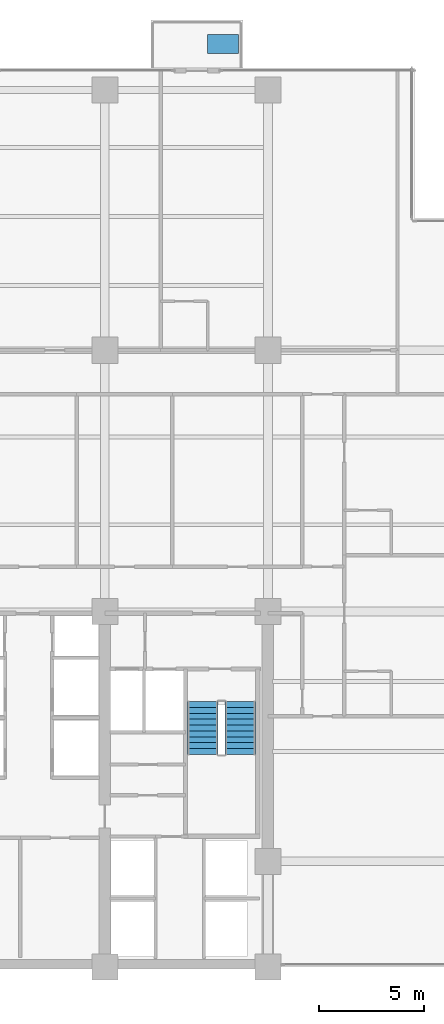
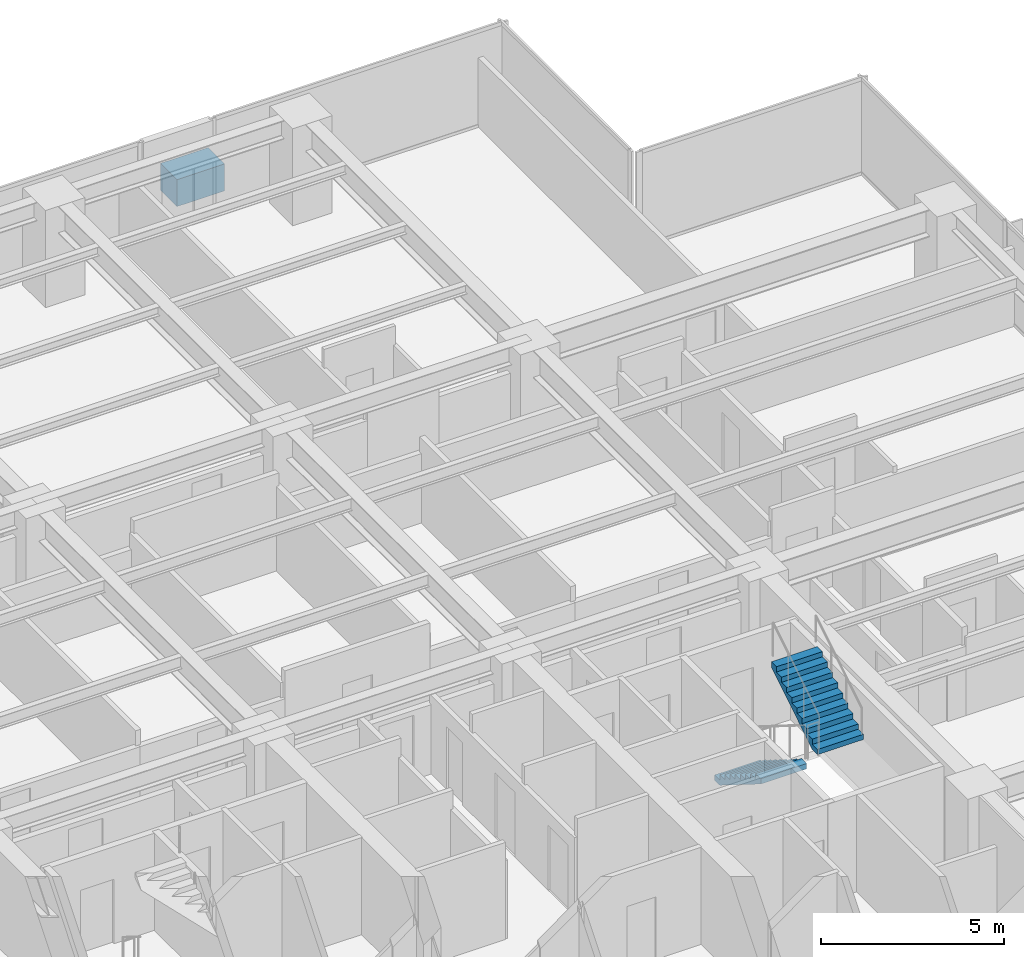
# One storey, part 12 of 17: 2 stair flights, 1 discrete accessory, 1 element without a shape of its own.
"""IFC4 building model written with IfcOpenShell, lengths in metres."""

from ifc_helpers import new_model, si_unit, direction, frame, origin, place, context, subcontext, project, spatial, polyline, outline, extrude, material, layer, layer_set, type_object, element, aggregate, save


model = new_model("IFC4")

# Units and contexts
model_context = context("Model", 3, precision=1e-05, world=origin(), true_north=direction((0.0, 1.0)))
body_context = subcontext(model_context, "Body", "Model", "MODEL_VIEW")
ifc_project = project(units=[si_unit("LENGTHUNIT", "METRE"), si_unit("AREAUNIT", "SQUARE_METRE"), si_unit("VOLUMEUNIT", "CUBIC_METRE"), si_unit("PLANEANGLEUNIT", "RADIAN"), si_unit("MASSUNIT", "GRAM", prefix="KILO")], contexts=[model_context])

# Site, building, storey
site_placement = place(None, origin())
site = spatial("IfcSite", under=ifc_project, at=site_placement, CompositionType="ELEMENT")
building_placement = place(site_placement, origin())
building = spatial("IfcBuilding", under=site, at=building_placement, Name="Qalmaran Belvedere Hotel", CompositionType="ELEMENT")
storey_placement = place(building_placement, frame((0.0, 0.0, 112.699951171875)))
storey = spatial("IfcBuildingStorey", under=building, at=storey_placement, Name="L28", CompositionType="ELEMENT", Elevation=112.699951171875)

# Stair, stair flights
ifc_material = material(Name="Concrete C40/50", Category="concrete")
stair_type = type_object("IfcStairType", Name="STR-ST-2-1450-R1750", PredefinedType="HALF_TURN_STAIR", material=ifc_material)
stair_placement = place(storey_placement, origin())
stair = element("IfcStair", 1, at=stair_placement, inside=storey, type_object=stair_type, Name="L28 East Core Exit Stair ST-2", PredefinedType="HALF_TURN_STAIR")
ifc_layer = layer(ifc_material, 0.14990234375, Name="Concrete C40/50")
ifc_layer_set = layer_set([ifc_layer], Name="Concrete C40/50")
stair_flight_type = type_object("IfcStairFlightType", Name="STF-ST-2-1450-R1750", PredefinedType="STRAIGHT", material=ifc_layer_set)
stair_flight_1_placement = place(storey_placement, frame((41.68505859375, 16.18994140625, 0.0), z_axis=(0.0, 0.0, 1.0), x_axis=(0.0, -1.0, 0.0)))
stair_flight_1 = element("IfcStairFlight", 2, at=stair_flight_1_placement, type_object=stair_flight_type, Name="ST-2 flight 1", NumberOfRisers=10, NumberOfTreads=9, PredefinedType="STRAIGHT", RiserHeight=0.175, TreadLength=0.28, context=body_context, shape_type="SweptSolid", body=[
    extrude(outline(polyline([(0.0, 0.0), (0.0, 0.175048828125), (0.280029296875, 0.175048828125), (0.280029296875, 0.35009765625), (0.56005859375, 0.35009765625), (0.56005859375, 0.52490234375), (0.840087890625, 0.52490234375), (0.840087890625, 0.699951171875), (1.1201171875, 0.699951171875), (1.1201171875, 0.875), (1.39990234375, 0.875), (1.39990234375, 1.050048828125), (1.679931640625, 1.050048828125), (1.679931640625, 1.22509765625), (1.9599609375, 1.22509765625), (1.9599609375, 1.39990234375), (2.239990234375, 1.39990234375), (2.239990234375, 1.574951171875), (2.52001953125, 1.574951171875), (2.52001953125, 1.75), (2.52001953125, 1.398193359375), (0.28271484375, 0.0), (0.0, 0.0)])), frame((0.0, 0.72509765625, 0.0), z_axis=(0.0, -1.0, 0.0), x_axis=(1.0, 0.0, 0.0)), (0.0, 0.0, 1.0), 1.449951171875),
])
stair_flight_2_placement = place(storey_placement, frame((43.47509765625, 13.669921875, 1.75), z_axis=(0.0, 0.0, 1.0), x_axis=(0.0, 1.0, 0.0)))
stair_flight_2 = element("IfcStairFlight", 3, at=stair_flight_2_placement, type_object=stair_flight_type, Name="ST-2 flight 2", NumberOfRisers=10, NumberOfTreads=9, PredefinedType="STRAIGHT", RiserHeight=0.175, TreadLength=0.28, context=body_context, shape_type="SweptSolid", body=[
    extrude(outline(polyline([(0.0, 0.0), (0.0, 0.175048828125), (0.280029296875, 0.175048828125), (0.280029296875, 0.35009765625), (0.56005859375, 0.35009765625), (0.56005859375, 0.52490234375), (0.840087890625, 0.52490234375), (0.840087890625, 0.699951171875), (1.1201171875, 0.699951171875), (1.1201171875, 0.875), (1.39990234375, 0.875), (1.39990234375, 1.050048828125), (1.679931640625, 1.050048828125), (1.679931640625, 1.22509765625), (1.9599609375, 1.22509765625), (1.9599609375, 1.39990234375), (2.239990234375, 1.39990234375), (2.239990234375, 1.574951171875), (2.52001953125, 1.574951171875), (2.52001953125, 1.75), (2.52001953125, 1.398193359375), (0.28271484375, 0.0), (0.0, 0.0)])), frame((0.0, 0.72509765625, 0.0), z_axis=(0.0, -1.0, 0.0), x_axis=(1.0, 0.0, 0.0)), (0.0, 0.0, 1.0), 1.449951171875),
])
aggregate(stair, [stair_flight_1, stair_flight_2])

# Discrete accessory
discrete_accessory_type = type_object("IfcDiscreteAccessoryType", Name="PLN-BAL-1500", PredefinedType="USERDEFINED", material=ifc_material)
discrete_accessory_placement = place(storey_placement, origin())
element("IfcDiscreteAccessory", 4, at=discrete_accessory_placement, inside=storey, type_object=discrete_accessory_type, Name="L28 Sky Tree Planter", ObjectType="PLANTER", PredefinedType="USERDEFINED", context=body_context, shape_type="SweptSolid", body=[
    extrude(outline(polyline([(41.89990234375, 47.199951171875), (43.39990234375, 47.199951171875), (43.39990234375, 48.10009765625), (41.89990234375, 48.10009765625), (41.89990234375, 47.199951171875)])), origin(), (0.0, 0.0, 1.0), 0.900146484375),
])

save(model, "model.ifc")
